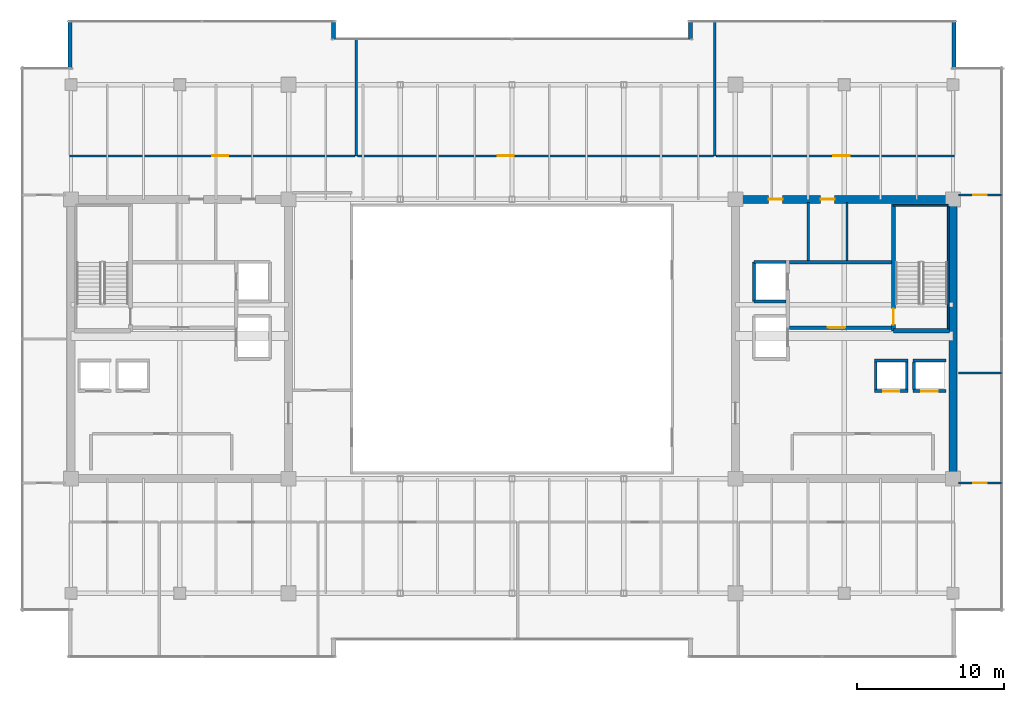
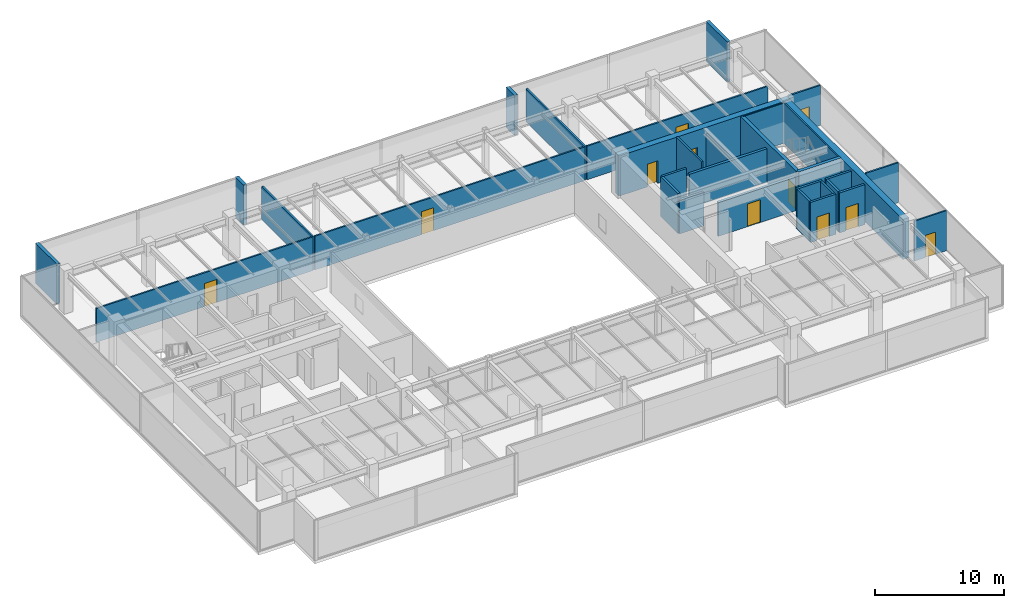
# One storey, part 30 of 36: 32 walls, 11 doors, 11 openings.
"""IFC4 building model written with IfcOpenShell, lengths in metres."""

from ifc_helpers import new_model, si_unit, direction, frame, frame_2d, origin, place, context, subcontext, project, spatial, rectangle, extrude, source, transform, mapped, material, layer, layer_set, type_object, type_shapes, element, fill, save


model = new_model("IFC4")

# Units and contexts
model_context = context("Model", 3, precision=1e-05, world=origin(), true_north=direction((0.0, 1.0)))
body_context = subcontext(model_context, "Body", "Model", "MODEL_VIEW")
ifc_project = project(units=[si_unit("LENGTHUNIT", "METRE"), si_unit("AREAUNIT", "SQUARE_METRE"), si_unit("VOLUMEUNIT", "CUBIC_METRE"), si_unit("PLANEANGLEUNIT", "RADIAN"), si_unit("MASSUNIT", "GRAM", prefix="KILO")], contexts=[model_context])

# Site, building, storey
site_placement = place(None, origin())
site = spatial("IfcSite", under=ifc_project, at=site_placement, CompositionType="ELEMENT")
building_placement = place(site_placement, origin())
building = spatial("IfcBuilding", under=site, at=building_placement, Name="Haelvirn Gate Laboratories", CompositionType="ELEMENT")
storey_placement = place(building_placement, frame((0.0, 0.0, 262.89990234375)))
storey = spatial("IfcBuildingStorey", under=building, at=storey_placement, Name="L63", CompositionType="ELEMENT", Elevation=262.89990234375)

# Walls
ifc_material_1 = material(Name="Thermally-broken bronze aluminium rainscreen & mineral wool", Category="aluminium")
ifc_layer_1 = layer(ifc_material_1, 0.280029296875, Name="EW-TERR-280")
ifc_layer_set_1 = layer_set([ifc_layer_1], Name="Thermally-broken bronze aluminium rainscreen & mineral wool")
wall_type_1 = type_object("IfcWallType", Name="EW-TERR-280", PredefinedType="STANDARD", material=ifc_layer_set_1)
wall_1_placement = place(storey_placement, frame((67.4599609375, 42.7119140625, 0.0), z_axis=(0.0, 0.0, 1.0), x_axis=(0.0, 1.0, 0.0)))
element("IfcWall", 1, at=wall_1_placement, inside=storey, type_object=wall_type_1, Name="L63 Atrium Recess Bronze Return Wall 09", PredefinedType="STANDARD", context=body_context, shape_type="SweptSolid", body=[
    extrude(rectangle(XDim=3.2880859375, YDim=0.280029296875, at=frame_2d((1.64404296875, 0.0))), origin(), (0.0, 0.0, 1.0), 3.800048828125),
])
for number, where, z_axis, x_axis, name in (
    (2, (49.5400390625, 46.0, 0.0), (0.0, 0.0, 1.0), (0.0, -1.0, 0.0), "L63 Atrium Recess Bronze Return Wall 11"),
    (3, (25.260009765625, 44.70703125, 0.0), (0.0, 0.0, 1.0), (0.0, 1.0, 0.0), "L63 Atrium Recess Bronze Return Wall 13"),
):
    element("IfcWall", number, at=place(storey_placement, frame(where, z_axis=z_axis, x_axis=x_axis)), inside=storey, type_object=wall_type_1, Name=name, PredefinedType="STANDARD", context=body_context, shape_type="SweptSolid", body=[
        extrude(rectangle(XDim=1.29296875, YDim=0.280029296875, at=frame_2d((0.646484375, 0.0))), origin(), (0.0, 0.0, 1.0), 3.800048828125),
    ])
wall_2_placement = place(storey_placement, frame((7.340087890625, 46.0, 0.0), z_axis=(0.0, 0.0, 1.0), x_axis=(0.0, -1.0, 0.0)))
element("IfcWall", 4, at=wall_2_placement, inside=storey, type_object=wall_type_1, Name="L63 Atrium Recess Bronze Return Wall 15", PredefinedType="STANDARD", context=body_context, shape_type="SweptSolid", body=[
    extrude(rectangle(XDim=3.2880859375, YDim=0.280029296875, at=frame_2d((1.64404296875, 0.0))), origin(), (0.0, 0.0, 1.0), 3.800048828125),
])
ifc_material_2 = material(Name="Double-layer acoustic gypsum laboratory partition", Category="gypsum")
ifc_layer_2 = layer(ifc_material_2, 0.159912109375, Name="IW-ACOUST-160")
ifc_layer_set_2 = layer_set([ifc_layer_2], Name="Double-layer acoustic gypsum laboratory partition")
wall_type_2 = type_object("IfcWallType", Name="IW-ACOUST-160", PredefinedType="PARTITIONING", material=ifc_layer_set_2)
wall_3_placement = place(storey_placement, frame((26.800048828125, 36.760009765625, 0.0), z_axis=(0.0, 0.0, 1.0), x_axis=(0.0, 1.0, 0.0)))
element("IfcWall", 5, at=wall_3_placement, inside=storey, type_object=wall_type_2, Name="L63 Interior Wall IW-L63-NDIV-01", PredefinedType="PARTITIONING", context=body_context, shape_type="SweptSolid", body=[
    extrude(rectangle(XDim=7.929931640625, YDim=0.159912109375, at=frame_2d((3.96484375, 0.0))), origin(), (0.0, 0.0, 1.0), 3.135009765625),
])
wall_4_placement = place(storey_placement, frame((51.199951171875, 36.760009765625, 0.0), z_axis=(0.0, 0.0, 1.0), x_axis=(0.0, 1.0, 0.0)))
element("IfcWall", 6, at=wall_4_placement, inside=storey, type_object=wall_type_2, Name="L63 Interior Wall IW-L63-NDIV-02", PredefinedType="PARTITIONING", context=body_context, shape_type="SweptSolid", body=[
    extrude(rectangle(XDim=9.1298828125, YDim=0.159912109375, at=frame_2d((4.56494140625, 0.0))), origin(), (0.0, 0.0, 1.0), 3.135009765625),
])

# Wall, opening, door
ifc_material_3 = material(Name="Acoustic mineral-wool gypsum board partition", Category="gypsum")
ifc_layer_3 = layer(ifc_material_3, 0.139892578125, Name="IW-PART-140")
ifc_layer_set_3 = layer_set([ifc_layer_3], Name="Acoustic mineral-wool gypsum board partition")
wall_type_3 = type_object("IfcWallType", Name="IW-PART-140", PredefinedType="PARTITIONING", material=ifc_layer_set_3)
wall_5_placement = place(storey_placement, frame((7.31005859375, 36.760009765625, 0.0), z_axis=(0.0, 0.0, 1.0), x_axis=(1.0, 0.0, 0.0)))
wall_5 = element("IfcWall", 7, at=wall_5_placement, inside=storey, type_object=wall_type_3, Name="L63 Interior Wall IW-L63-NCORR-01", PredefinedType="PARTITIONING", context=body_context, shape_type="SweptSolid", body=[
    extrude(rectangle(XDim=19.409912109375, YDim=0.139892578125, at=frame_2d((9.705078125, 0.0))), origin(), (0.0, 0.0, 1.0), 3.197021484375),
])
opening_1_placement = place(wall_5_placement, frame((9.683349609375, 0.0, 0.0)))
opening_1 = element("IfcOpeningElement", 8, at=opening_1_placement, cuts=wall_5, Name="Opening D1", PredefinedType="OPENING", context=body_context, shape_type="SweptSolid", body=[
    extrude(rectangle(XDim=1.10009765625, YDim=2.179931640625, at=frame_2d((0.550048828125, 1.08984375))), frame((0.0, 0.080078125, 0.0), z_axis=(0.0, -1.0, 0.0), x_axis=(1.0, 0.0, 0.0)), (0.0, 0.0, 1.0), 0.159912109375),
])
ifc_material_4 = material(Name="Vision-panel acoustic solid-core timber lab door", Category="wood")
door_type_1 = type_object("IfcDoorType", Name="DR-LAB-1100", OperationType="NOTDEFINED", PredefinedType="DOOR", material=ifc_material_4)
shared_shape_1 = source(origin(), body_context, "Body", "SweptSolid", [
    extrude(rectangle(XDim=1.10009765625, YDim=2.179931640625, at=frame_2d((0.550048828125, 1.08984375))), frame((0.0, 0.02490234375, 0.0), z_axis=(0.0, -1.0, 0.0), x_axis=(1.0, 0.0, 0.0)), (0.0, 0.0, 1.0), 0.050048828125),
])
type_shapes(door_type_1, [shared_shape_1])
door_1_placement = place(opening_1_placement, origin())
door_1 = element("IfcDoor", 9, at=door_1_placement, inside=storey, type_object=door_type_1, Name="L63 Researcher Break Pantry Door N1", OperationType="SINGLE_SWING_LEFT", OverallHeight=2.179931640625, OverallWidth=1.10009765625, PredefinedType="DOOR", context=body_context, shape_type="MappedRepresentation", body=[
    mapped(shared_shape_1, transform((0.0, 0.0, 0.0), scale=1.0)),
])
fill(opening_1, door_1)

wall_6_placement = place(storey_placement, frame((26.8798828125, 36.760009765625, 0.0), z_axis=(0.0, 0.0, 1.0), x_axis=(1.0, 0.0, 0.0)))
wall_6 = element("IfcWall", 10, at=wall_6_placement, inside=storey, type_object=wall_type_3, Name="L63 Interior Wall IW-L63-NCORR-02", PredefinedType="PARTITIONING", context=body_context, shape_type="SweptSolid", body=[
    extrude(rectangle(XDim=24.240234375, YDim=0.139892578125, at=frame_2d((12.1201171875, 0.0))), origin(), (0.0, 0.0, 1.0), 3.197021484375),
])
opening_2_placement = place(wall_6_placement, frame((9.55029296875, 0.0, 0.0)))
opening_2 = element("IfcOpeningElement", 11, at=opening_2_placement, cuts=wall_6, Name="Opening D1", PredefinedType="OPENING", context=body_context, shape_type="SweptSolid", body=[
    extrude(rectangle(XDim=1.10009765625, YDim=2.179931640625, at=frame_2d((0.550048828125, 1.08984375))), frame((0.0, 0.080078125, 0.0), z_axis=(0.0, -1.0, 0.0), x_axis=(1.0, 0.0, 0.0)), (0.0, 0.0, 1.0), 0.159912109375),
])
door_2_placement = place(opening_2_placement, origin())
door_2 = element("IfcDoor", 12, at=door_2_placement, inside=storey, type_object=door_type_1, Name="L63 Laser-Safety Consult Room Door N2", OperationType="SINGLE_SWING_RIGHT", OverallHeight=2.179931640625, OverallWidth=1.10009765625, PredefinedType="DOOR", context=body_context, shape_type="MappedRepresentation", body=[
    mapped(shared_shape_1, transform((0.0, 0.0, 0.0), scale=1.0)),
])
fill(opening_2, door_2)

wall_7_placement = place(storey_placement, frame((51.280029296875, 36.760009765625, 0.0), z_axis=(0.0, 0.0, 1.0), x_axis=(1.0, 0.0, 0.0)))
wall_7 = element("IfcWall", 13, at=wall_7_placement, inside=storey, type_object=wall_type_3, Name="L63 Interior Wall IW-L63-NCORR-03", PredefinedType="PARTITIONING", context=body_context, shape_type="SweptSolid", body=[
    extrude(rectangle(XDim=16.2099609375, YDim=0.139892578125, at=frame_2d((8.10498046875, 0.0))), origin(), (0.0, 0.0, 1.0), 3.197021484375),
])
opening_3_placement = place(wall_7_placement, frame((7.9873046875, 0.0, 0.0)))
opening_3 = element("IfcOpeningElement", 14, at=opening_3_placement, cuts=wall_7, Name="Opening D1", PredefinedType="OPENING", context=body_context, shape_type="SweptSolid", body=[
    extrude(rectangle(XDim=1.10009765625, YDim=2.179931640625, at=frame_2d((0.550048828125, 1.08984375))), frame((0.0, 0.080078125, 0.0), z_axis=(0.0, -1.0, 0.0), x_axis=(1.0, 0.0, 0.0)), (0.0, 0.0, 1.0), 0.159912109375),
])
door_3_placement = place(opening_3_placement, origin())
door_3 = element("IfcDoor", 15, at=door_3_placement, inside=storey, type_object=door_type_1, Name="L63 Occupational Biosafety Clinic Door N3", OperationType="SINGLE_SWING_LEFT", OverallHeight=2.179931640625, OverallWidth=1.10009765625, PredefinedType="DOOR", context=body_context, shape_type="MappedRepresentation", body=[
    mapped(shared_shape_1, transform((0.0, 0.0, 0.0), scale=1.0)),
])
fill(opening_3, door_3)

# Wall
wall_8_placement = place(storey_placement, frame((67.780029296875, 22.0, 0.0), z_axis=(0.0, 0.0, 1.0), x_axis=(1.0, 0.0, 0.0)))
element("IfcWall", 16, at=wall_8_placement, inside=storey, type_object=wall_type_3, Name="L63 Interior Wall IW-L63-EZ3-MID", PredefinedType="PARTITIONING", context=body_context, shape_type="SweptSolid", body=[
    extrude(rectangle(XDim=2.909912109375, YDim=0.139892578125, at=frame_2d((1.455078125, 0.0))), origin(), (0.0, 0.0, 1.0), 3.800048828125),
])

# Wall, opening, door
wall_9_placement = place(storey_placement, frame((67.780029296875, 14.5048828125, 0.0), z_axis=(0.0, 0.0, 1.0), x_axis=(1.0, 0.0, 0.0)))
wall_9 = element("IfcWall", 17, at=wall_9_placement, inside=storey, type_object=wall_type_3, Name="L63 Interior Wall IW-L63-EZ3-ENT-S", PredefinedType="PARTITIONING", context=body_context, shape_type="SweptSolid", body=[
    extrude(rectangle(XDim=2.909912109375, YDim=0.139892578125, at=frame_2d((1.455078125, 0.0))), origin(), (0.0, 0.0, 1.0), 3.800048828125),
])
opening_4_placement = place(wall_9_placement, frame((1.0048828125, 0.0, 0.0)))
opening_4 = element("IfcOpeningElement", 18, at=opening_4_placement, cuts=wall_9, Name="Opening D4", PredefinedType="OPENING", context=body_context, shape_type="SweptSolid", body=[
    extrude(rectangle(XDim=0.89990234375, YDim=2.10009765625, at=frame_2d((0.449951171875, 1.050048828125))), frame((0.0, 0.080078125, 0.0), z_axis=(0.0, -1.0, 0.0), x_axis=(1.0, 0.0, 0.0)), (0.0, 0.0, 1.0), 0.159912109375),
])
ifc_material_5 = material(Name="Glazed aluminium-framed write-up door", Category="aluminium")
door_type_2 = type_object("IfcDoorType", Name="DR-OFF-900", OperationType="NOTDEFINED", PredefinedType="DOOR", material=ifc_material_5)
shared_shape_2 = source(origin(), body_context, "Body", "SweptSolid", [
    extrude(rectangle(XDim=0.89990234375, YDim=2.10009765625, at=frame_2d((0.449951171875, 1.050048828125))), frame((0.0, 0.02490234375, 0.0), z_axis=(0.0, -1.0, 0.0), x_axis=(1.0, 0.0, 0.0)), (0.0, 0.0, 1.0), 0.050048828125),
])
type_shapes(door_type_2, [shared_shape_2])
door_4_placement = place(opening_4_placement, origin())
door_4 = element("IfcDoor", 19, at=door_4_placement, inside=storey, type_object=door_type_2, Name="L63 Chemical Synthesis Laboratory Door E-S", OperationType="SINGLE_SWING_LEFT", OverallHeight=2.10009765625, OverallWidth=0.89990234375, PredefinedType="DOOR", context=body_context, shape_type="MappedRepresentation", body=[
    mapped(shared_shape_2, transform((0.0, 0.0, 0.0), scale=1.0)),
])
fill(opening_4, door_4)

wall_10_placement = place(storey_placement, frame((67.780029296875, 34.094970703125, 0.0), z_axis=(0.0, 0.0, 1.0), x_axis=(1.0, 0.0, 0.0)))
wall_10 = element("IfcWall", 20, at=wall_10_placement, inside=storey, type_object=wall_type_3, Name="L63 Interior Wall IW-L63-EZ3-ENT-N", PredefinedType="PARTITIONING", context=body_context, shape_type="SweptSolid", body=[
    extrude(rectangle(XDim=2.909912109375, YDim=0.139892578125, at=frame_2d((1.455078125, 0.0))), origin(), (0.0, 0.0, 1.0), 3.800048828125),
])
opening_5_placement = place(wall_10_placement, frame((1.0048828125, 0.0, 0.0)))
opening_5 = element("IfcOpeningElement", 21, at=opening_5_placement, cuts=wall_10, Name="Opening D4", PredefinedType="OPENING", context=body_context, shape_type="SweptSolid", body=[
    extrude(rectangle(XDim=0.89990234375, YDim=2.10009765625, at=frame_2d((0.449951171875, 1.050048828125))), frame((0.0, 0.080078125, 0.0), z_axis=(0.0, -1.0, 0.0), x_axis=(1.0, 0.0, 0.0)), (0.0, 0.0, 1.0), 0.159912109375),
])
door_5_placement = place(opening_5_placement, origin())
door_5 = element("IfcDoor", 22, at=door_5_placement, inside=storey, type_object=door_type_2, Name="L63 Genomics Assay Laboratory Door E-N", OperationType="SINGLE_SWING_RIGHT", OverallHeight=2.10009765625, OverallWidth=0.89990234375, PredefinedType="DOOR", context=body_context, shape_type="MappedRepresentation", body=[
    mapped(shared_shape_2, transform((0.0, 0.0, 0.0), scale=1.0)),
])
fill(opening_5, door_5)

# Walls
ifc_material_6 = material(Name="Cement-board restroom plumbing chase wall", Category="gypsum")
ifc_layer_4 = layer(ifc_material_6, 0.155029296875, Name="IW-PLUMB-160")
ifc_layer_set_4 = layer_set([ifc_layer_4], Name="Cement-board restroom plumbing chase wall")
wall_type_4 = type_object("IfcWallType", Name="IW-PLUMB-160", PredefinedType="PLUMBINGWALL", material=ifc_layer_set_4)
wall_11_placement = place(storey_placement, frame((60.18994140625, 29.64990234375, 0.0), z_axis=(0.0, 0.0, 1.0), x_axis=(0.0, 1.0, 0.0)))
element("IfcWall", 23, at=wall_11_placement, inside=storey, type_object=wall_type_4, Name="L63 Interior Wall IW-L63-E-CDIV-0", PredefinedType="PLUMBINGWALL", context=body_context, shape_type="SweptSolid", body=[
    extrude(rectangle(XDim=3.93017578125, YDim=0.155029296875, at=frame_2d((1.965087890625, 0.0))), origin(), (0.0, 0.0, 1.0), 3.197021484375),
])
wall_12_placement = place(storey_placement, frame((57.56005859375, 29.64990234375, 0.0), z_axis=(0.0, 0.0, 1.0), x_axis=(0.0, 1.0, 0.0)))
element("IfcWall", 24, at=wall_12_placement, inside=storey, type_object=wall_type_4, Name="L63 Interior Wall IW-L63-E-CDIV-1", PredefinedType="PLUMBINGWALL", context=body_context, shape_type="SweptSolid", body=[
    extrude(rectangle(XDim=3.93017578125, YDim=0.155029296875, at=frame_2d((1.965087890625, 0.0))), origin(), (0.0, 0.0, 1.0), 3.800048828125),
])
ifc_material_7 = material(Name="Concrete C40/50", Category="concrete")
ifc_layer_5 = layer(ifc_material_7, 0.179931640625, Name="IW-SHAFT-180")
ifc_layer_set_5 = layer_set([ifc_layer_5], Name="Concrete C40/50")
wall_type_5 = type_object("IfcWallType", Name="IW-SHAFT-180", PredefinedType="SOLIDWALL", material=ifc_layer_set_5)
for number, where, z_axis, x_axis, name in (
    (25, (64.75, 20.85009765625, 0.0), (0.0, 0.0, 1.0), (0.0, 1.0, 0.0), "L63 Interior Wall IW-L63-PL11-SD"),
    (26, (62.14990234375, 20.85009765625, 0.0), (0.0, 0.0, 1.0), (0.0, 1.0, 0.0), "L63 Interior Wall IW-L63-PL12-SD"),
    (27, (64.25, 20.85009765625, 0.0), (0.0, 0.0, 1.0), (0.0, 1.0, 0.0), "L63 Interior Wall IW-L63-PL12-SDE"),
):
    element("IfcWall", number, at=place(storey_placement, frame(where, z_axis=z_axis, x_axis=x_axis)), inside=storey, type_object=wall_type_5, Name=name, PredefinedType="SOLIDWALL", context=body_context, shape_type="SweptSolid", body=[
        extrude(rectangle(XDim=1.89990234375, YDim=0.179931640625, at=frame_2d((0.949951171875, 0.0))), origin(), (0.0, 0.0, 1.0), 3.800048828125),
    ])

# Wall, opening, door
ifc_layer_6 = layer(ifc_material_7, 0.199951171875, Name="IW-SHAFT-200")
ifc_layer_set_6 = layer_set([ifc_layer_6], Name="Concrete C40/50")
wall_type_6 = type_object("IfcWallType", Name="IW-SHAFT-200", PredefinedType="SOLIDWALL", material=ifc_layer_set_6)
wall_13_placement = place(storey_placement, frame((64.669921875, 20.75, 0.0), z_axis=(0.0, 0.0, 1.0), x_axis=(1.0, 0.0, 0.0)))
wall_13 = element("IfcWall", 28, at=wall_13_placement, inside=storey, type_object=wall_type_6, Name="L63 Interior Wall IW-L63-PL11-FR", PredefinedType="SOLIDWALL", context=body_context, shape_type="SweptSolid", body=[
    extrude(rectangle(XDim=2.260009765625, YDim=0.199951171875, at=frame_2d((1.1298828125, 0.0))), origin(), (0.0, 0.0, 1.0), 3.800048828125),
])
opening_6_placement = place(wall_13_placement, frame((0.580078125, 0.0, 0.0)))
opening_6 = element("IfcOpeningElement", 29, at=opening_6_placement, cuts=wall_13, Name="Opening LD2", PredefinedType="OPENING", context=body_context, shape_type="SweptSolid", body=[
    extrude(rectangle(XDim=1.10009765625, YDim=2.219970703125, at=frame_2d((0.550048828125, 1.10986328125))), frame((0.0, 0.10986328125, 0.0), z_axis=(0.0, -1.0, 0.0), x_axis=(1.0, 0.0, 0.0)), (0.0, 0.0, 1.0), 0.219970703125),
])
ifc_material_8 = material(Name="Bronze stainless 316L sliding lift landing door")
door_type_3 = type_object("IfcDoorType", Name="DR-LD-1100", OperationType="NOTDEFINED", PredefinedType="USERDEFINED", material=ifc_material_8)
shared_shape_3 = source(origin(), body_context, "Body", "SweptSolid", [
    extrude(rectangle(XDim=1.10009765625, YDim=2.219970703125, at=frame_2d((0.550048828125, 1.10986328125))), frame((0.0, 0.02490234375, 0.0), z_axis=(0.0, -1.0, 0.0), x_axis=(1.0, 0.0, 0.0)), (0.0, 0.0, 1.0), 0.050048828125),
])
type_shapes(door_type_3, [shared_shape_3])
door_6_placement = place(opening_6_placement, origin())
door_6 = element("IfcDoor", 30, at=door_6_placement, inside=storey, type_object=door_type_3, Name="L63 Passenger Lift PL11 Landing Door", ObjectType="LANDING_DOOR", OperationType="SLIDING_TO_LEFT", OverallHeight=2.219970703125, OverallWidth=1.10009765625, PredefinedType="USERDEFINED", context=body_context, shape_type="MappedRepresentation", body=[
    mapped(shared_shape_3, transform((0.0, 0.0, 0.0), scale=1.0)),
])
fill(opening_6, door_6)

# Wall
wall_14_placement = place(storey_placement, frame((64.669921875, 22.85009765625, 0.0), z_axis=(0.0, 0.0, 1.0), x_axis=(1.0, 0.0, 0.0)))
element("IfcWall", 31, at=wall_14_placement, inside=storey, type_object=wall_type_6, Name="L63 Interior Wall IW-L63-PL11-BK", PredefinedType="SOLIDWALL", context=body_context, shape_type="SweptSolid", body=[
    extrude(rectangle(XDim=2.260009765625, YDim=0.199951171875, at=frame_2d((1.1298828125, 0.0))), origin(), (0.0, 0.0, 1.0), 3.800048828125),
])

# Wall, opening, door
wall_15_placement = place(storey_placement, frame((62.070068359375, 20.75, 0.0), z_axis=(0.0, 0.0, 1.0), x_axis=(1.0, 0.0, 0.0)))
wall_15 = element("IfcWall", 32, at=wall_15_placement, inside=storey, type_object=wall_type_6, Name="L63 Interior Wall IW-L63-PL12-FR", PredefinedType="SOLIDWALL", context=body_context, shape_type="SweptSolid", body=[
    extrude(rectangle(XDim=2.260009765625, YDim=0.199951171875, at=frame_2d((1.1298828125, 0.0))), origin(), (0.0, 0.0, 1.0), 3.800048828125),
])
opening_7_placement = place(wall_15_placement, frame((0.580078125, 0.0, 0.0)))
opening_7 = element("IfcOpeningElement", 33, at=opening_7_placement, cuts=wall_15, Name="Opening LD2", PredefinedType="OPENING", context=body_context, shape_type="SweptSolid", body=[
    extrude(rectangle(XDim=1.10009765625, YDim=2.219970703125, at=frame_2d((0.550048828125, 1.10986328125))), frame((0.0, 0.10986328125, 0.0), z_axis=(0.0, -1.0, 0.0), x_axis=(1.0, 0.0, 0.0)), (0.0, 0.0, 1.0), 0.219970703125),
])
door_7_placement = place(opening_7_placement, origin())
door_7 = element("IfcDoor", 34, at=door_7_placement, inside=storey, type_object=door_type_3, Name="L63 Passenger Lift PL12 Landing Door", ObjectType="LANDING_DOOR", OperationType="SLIDING_TO_RIGHT", OverallHeight=2.219970703125, OverallWidth=1.10009765625, PredefinedType="USERDEFINED", context=body_context, shape_type="MappedRepresentation", body=[
    mapped(shared_shape_3, transform((0.0, 0.0, 0.0), scale=1.0)),
])
fill(opening_7, door_7)

# Walls
wall_16_placement = place(storey_placement, frame((62.070068359375, 22.85009765625, 0.0), z_axis=(0.0, 0.0, 1.0), x_axis=(1.0, 0.0, 0.0)))
element("IfcWall", 35, at=wall_16_placement, inside=storey, type_object=wall_type_6, Name="L63 Interior Wall IW-L63-PL12-BK", PredefinedType="SOLIDWALL", context=body_context, shape_type="SweptSolid", body=[
    extrude(rectangle(XDim=2.260009765625, YDim=0.199951171875, at=frame_2d((1.1298828125, 0.0))), origin(), (0.0, 0.0, 1.0), 3.800048828125),
])
wall_17_placement = place(storey_placement, frame((53.85009765625, 26.85009765625, 0.0), z_axis=(0.0, 0.0, 1.0), x_axis=(0.0, 1.0, 0.0)))
element("IfcWall", 36, at=wall_17_placement, inside=storey, type_object=wall_type_6, Name="L63 Interior Wall IW-L63-FL2-BK", PredefinedType="SOLIDWALL", context=body_context, shape_type="SweptSolid", body=[
    extrude(rectangle(XDim=2.699951171875, YDim=0.199951171875, at=frame_2d((1.35009765625, 0.0))), origin(), (0.0, 0.0, 1.0), 3.800048828125),
])
wall_18_placement = place(storey_placement, frame((53.85009765625, 29.550048828125, 0.0), z_axis=(0.0, 0.0, 1.0), x_axis=(1.0, 0.0, 0.0)))
element("IfcWall", 37, at=wall_18_placement, inside=storey, type_object=wall_type_6, Name="L63 Interior Wall IW-L63-FL2-N", PredefinedType="SOLIDWALL", context=body_context, shape_type="SweptSolid", body=[
    extrude(rectangle(XDim=2.18994140625, YDim=0.199951171875, at=frame_2d((1.094970703125, 0.0))), origin(), (0.0, 0.0, 1.0), 3.800048828125),
])
wall_19_placement = place(storey_placement, frame((53.85009765625, 26.85009765625, 0.0), z_axis=(0.0, 0.0, 1.0), x_axis=(1.0, 0.0, 0.0)))
element("IfcWall", 38, at=wall_19_placement, inside=storey, type_object=wall_type_6, Name="L63 Interior Wall IW-L63-FL2-S", PredefinedType="SOLIDWALL", context=body_context, shape_type="SweptSolid", body=[
    extrude(rectangle(XDim=2.18994140625, YDim=0.199951171875, at=frame_2d((1.094970703125, 0.0))), origin(), (0.0, 0.0, 1.0), 3.197021484375),
])

# Wall, opening, door
ifc_layer_7 = layer(ifc_material_7, 0.239990234375, Name="IW-SHAFT-240")
ifc_layer_set_7 = layer_set([ifc_layer_7], Name="Concrete C40/50")
wall_type_7 = type_object("IfcWallType", Name="IW-SHAFT-240", PredefinedType="SOLIDWALL", material=ifc_layer_set_7)
wall_20_placement = place(storey_placement, frame((56.280029296875, 25.080078125, 0.0), z_axis=(0.0, 0.0, 1.0), x_axis=(1.0, 0.0, 0.0)))
wall_20 = element("IfcWall", 39, at=wall_20_placement, inside=storey, type_object=wall_type_7, Name="L63 Interior Wall IW-L63-E-FF-S", PredefinedType="SOLIDWALL", context=body_context, shape_type="SweptSolid", body=[
    extrude(rectangle(XDim=6.919921875, YDim=0.239990234375, at=frame_2d((3.4599609375, 0.0))), origin(), (0.0, 0.0, 1.0), 3.197021484375),
])
opening_8_placement = place(wall_20_placement, frame((2.60009765625, 0.0, 0.0)))
opening_8 = element("IfcOpeningElement", 40, at=opening_8_placement, cuts=wall_20, Name="Opening FD2", PredefinedType="OPENING", context=body_context, shape_type="SweptSolid", body=[
    extrude(rectangle(XDim=1.199951171875, YDim=2.159912109375, at=frame_2d((0.60009765625, 1.080078125))), frame((0.0, 0.1298828125, 0.0), z_axis=(0.0, -1.0, 0.0), x_axis=(1.0, 0.0, 0.0)), (0.0, 0.0, 1.0), 0.260009765625),
])
ifc_material_9 = material(Name="Fire-rated steel SM355 compartment door", Category="steel")
door_type_4 = type_object("IfcDoorType", Name="DR-FD-1200", OperationType="NOTDEFINED", PredefinedType="DOOR", material=ifc_material_9)
shared_shape_4 = source(origin(), body_context, "Body", "SweptSolid", [
    extrude(rectangle(XDim=1.199951171875, YDim=2.159912109375, at=frame_2d((0.60009765625, 1.080078125))), frame((0.0, 0.02490234375, 0.0), z_axis=(0.0, -1.0, 0.0), x_axis=(1.0, 0.0, 0.0)), (0.0, 0.0, 1.0), 0.050048828125),
])
type_shapes(door_type_4, [shared_shape_4])
door_8_placement = place(opening_8_placement, origin())
door_8 = element("IfcDoor", 41, at=door_8_placement, inside=storey, type_object=door_type_4, Name="L63 East Firefighting Lobby Door", OperationType="SINGLE_SWING_LEFT", OverallHeight=2.159912109375, OverallWidth=1.199951171875, PredefinedType="DOOR", context=body_context, shape_type="MappedRepresentation", body=[
    mapped(shared_shape_4, transform((0.0, 0.0, 0.0), scale=1.0)),
])
fill(opening_8, door_8)

# Wall
wall_21_placement = place(storey_placement, frame((56.280029296875, 29.52001953125, 0.0), z_axis=(0.0, 0.0, 1.0), x_axis=(1.0, 0.0, 0.0)))
element("IfcWall", 42, at=wall_21_placement, inside=storey, type_object=wall_type_7, Name="L63 Interior Wall IW-L63-E-FF-N", PredefinedType="SOLIDWALL", context=body_context, shape_type="SweptSolid", body=[
    extrude(rectangle(XDim=6.919921875, YDim=0.239990234375, at=frame_2d((3.4599609375, 0.0))), origin(), (0.0, 0.0, 1.0), 3.197021484375),
])

# Wall, openings, doors
ifc_material_10 = material(Name="Concrete C50/60", Category="concrete")
ifc_layer_8 = layer(ifc_material_10, 0.550048828125, Name="SW-CORE-550")
ifc_layer_set_8 = layer_set([ifc_layer_8], Name="Concrete C50/60")
wall_type_8 = type_object("IfcWallType", Name="SW-CORE-550", PredefinedType="SHEAR", material=ifc_layer_set_8)
wall_22_placement = place(storey_placement, frame((52.324951171875, 33.800048828125, 0.0), z_axis=(0.0, 0.0, 1.0), x_axis=(1.0, 0.0, 0.0)))
wall_22 = element("IfcWall", 43, at=wall_22_placement, inside=storey, type_object=wall_type_8, Name="L63 E Core Shear Wall N", PredefinedType="SHEAR", context=body_context, shape_type="SweptSolid", body=[
    extrude(rectangle(XDim=15.35009765625, YDim=0.550048828125, at=frame_2d((7.675048828125, 0.0))), origin(), (0.0, 0.0, 1.0), 3.800048828125),
])
opening_9_placement = place(wall_22_placement, frame((6.074951171875, 0.0, 0.0)))
opening_9 = element("IfcOpeningElement", 44, at=opening_9_placement, cuts=wall_22, Name="Opening FD4", PredefinedType="OPENING", context=body_context, shape_type="SweptSolid", body=[
    extrude(rectangle(XDim=0.949951171875, YDim=2.14990234375, at=frame_2d((0.47509765625, 1.074951171875))), frame((0.0, 0.28515625, 0.0), z_axis=(0.0, -1.0, 0.0), x_axis=(1.0, 0.0, 0.0)), (0.0, 0.0, 1.0), 0.570068359375),
])
opening_10_placement = place(wall_22_placement, frame((2.534912109375, 0.0, 0.0)))
opening_10 = element("IfcOpeningElement", 45, at=opening_10_placement, cuts=wall_22, Name="Opening FD4", PredefinedType="OPENING", context=body_context, shape_type="SweptSolid", body=[
    extrude(rectangle(XDim=0.949951171875, YDim=2.14990234375, at=frame_2d((0.47509765625, 1.074951171875))), frame((0.0, 0.28515625, 0.0), z_axis=(0.0, -1.0, 0.0), x_axis=(1.0, 0.0, 0.0)), (0.0, 0.0, 1.0), 0.570068359375),
])
ifc_material_11 = material(Name="Fire-rated steel SM355 core service door", Category="steel")
door_type_5 = type_object("IfcDoorType", Name="DR-FD-950", OperationType="NOTDEFINED", PredefinedType="DOOR", material=ifc_material_11)
shared_shape_5 = source(origin(), body_context, "Body", "SweptSolid", [
    extrude(rectangle(XDim=0.949951171875, YDim=2.14990234375, at=frame_2d((0.47509765625, 1.074951171875))), frame((0.0, 0.02490234375, 0.0), z_axis=(0.0, -1.0, 0.0), x_axis=(1.0, 0.0, 0.0)), (0.0, 0.0, 1.0), 0.050048828125),
])
type_shapes(door_type_5, [shared_shape_5])
door_9_placement = place(opening_9_placement, origin())
door_9 = element("IfcDoor", 46, at=door_9_placement, inside=storey, type_object=door_type_5, Name="L63 Accessible Restroom Fire Door", OperationType="SINGLE_SWING_RIGHT", OverallHeight=2.14990234375, OverallWidth=0.949951171875, PredefinedType="DOOR", context=body_context, shape_type="MappedRepresentation", body=[
    mapped(shared_shape_5, transform((0.0, 0.0, 0.0), scale=1.0)),
])
fill(opening_9, door_9)
door_10_placement = place(opening_10_placement, origin())
door_10 = element("IfcDoor", 47, at=door_10_placement, inside=storey, type_object=door_type_5, Name="L63 Staff Restroom Fire Door", OperationType="SINGLE_SWING_LEFT", OverallHeight=2.14990234375, OverallWidth=0.949951171875, PredefinedType="DOOR", context=body_context, shape_type="MappedRepresentation", body=[
    mapped(shared_shape_5, transform((0.0, 0.0, 0.0), scale=1.0)),
])
fill(opening_10, door_10)

# Walls
wall_23_placement = place(storey_placement, frame((67.39990234375, 15.074951171875, 0.0), z_axis=(0.0, 0.0, 1.0), x_axis=(0.0, 1.0, 0.0)))
element("IfcWall", 48, at=wall_23_placement, inside=storey, type_object=wall_type_8, Name="L63 E Core Shear Wall E", PredefinedType="SHEAR", context=body_context, shape_type="SweptSolid", body=[
    extrude(rectangle(XDim=18.449951171875, YDim=0.550048828125, at=frame_2d((9.22509765625, 0.0))), origin(), (0.0, 0.0, 1.0), 3.800048828125),
])
ifc_layer_9 = layer(ifc_material_10, 0.1201171875, Name="SW-LINER-120")
ifc_layer_set_9 = layer_set([ifc_layer_9], Name="Concrete C50/60")
wall_type_9 = type_object("IfcWallType", Name="SW-LINER-120", PredefinedType="SOLIDWALL", material=ifc_layer_set_9)
wall_24_placement = place(storey_placement, frame((63.35009765625, 33.39990234375, 0.0), z_axis=(0.0, 0.0, 1.0), x_axis=(1.0, 0.0, 0.0)))
element("IfcWall", 49, at=wall_24_placement, inside=storey, type_object=wall_type_9, Name="L63 E Core Stair Shaft Liner Wall N", PredefinedType="SOLIDWALL", context=body_context, shape_type="SweptSolid", body=[
    extrude(rectangle(XDim=3.719970703125, YDim=0.1201171875, at=frame_2d((1.85986328125, 0.0))), origin(), (0.0, 0.0, 1.0), 3.800048828125),
])
wall_25_placement = place(storey_placement, frame((67.070068359375, 25.0, 0.0), z_axis=(0.0, 0.0, 1.0), x_axis=(0.0, 1.0, 0.0)))
element("IfcWall", 50, at=wall_25_placement, inside=storey, type_object=wall_type_9, Name="L63 E Core Stair Shaft Liner Wall OUT", PredefinedType="SOLIDWALL", context=body_context, shape_type="SweptSolid", body=[
    extrude(rectangle(XDim=8.320068359375, YDim=0.1201171875, at=frame_2d((4.16015625, 0.0))), origin(), (0.0, 0.0, 1.0), 3.800048828125),
])

# Wall, opening, door
ifc_layer_10 = layer(ifc_material_10, 0.300048828125, Name="SW-STAIR-300")
ifc_layer_set_10 = layer_set([ifc_layer_10], Name="Concrete C50/60")
wall_type_10 = type_object("IfcWallType", Name="SW-STAIR-300", PredefinedType="SHEAR", material=ifc_layer_set_10)
wall_26_placement = place(storey_placement, frame((63.35009765625, 24.85009765625, 0.0), z_axis=(0.0, 0.0, 1.0), x_axis=(0.0, 1.0, 0.0)))
wall_26 = element("IfcWall", 51, at=wall_26_placement, inside=storey, type_object=wall_type_10, Name="L63 E Core Stair Shaft Structural Wall IN", PredefinedType="SHEAR", context=body_context, shape_type="SweptSolid", body=[
    extrude(rectangle(XDim=8.6298828125, YDim=0.300048828125, at=frame_2d((4.31494140625, 0.0))), origin(), (0.0, 0.0, 1.0), 3.800048828125),
])
opening_11_placement = place(wall_26_placement, frame((0.419921875, 0.0, 0.0)))
opening_11 = element("IfcOpeningElement", 52, at=opening_11_placement, cuts=wall_26, Name="Opening FD3", PredefinedType="OPENING", context=body_context, shape_type="SweptSolid", body=[
    extrude(rectangle(XDim=1.10009765625, YDim=2.14990234375, at=frame_2d((0.550048828125, 1.074951171875))), frame((0.0, 0.16015625, 0.0), z_axis=(0.0, -1.0, 0.0), x_axis=(1.0, 0.0, 0.0)), (0.0, 0.0, 1.0), 0.320068359375),
])
ifc_material_12 = material(Name="Fire-rated steel SM355 escape stair door", Category="steel")
door_type_6 = type_object("IfcDoorType", Name="DR-FD-1100", OperationType="NOTDEFINED", PredefinedType="DOOR", material=ifc_material_12)
shared_shape_6 = source(origin(), body_context, "Body", "SweptSolid", [
    extrude(rectangle(XDim=1.10009765625, YDim=2.14990234375, at=frame_2d((0.550048828125, 1.074951171875))), frame((0.0, 0.02490234375, 0.0), z_axis=(0.0, -1.0, 0.0), x_axis=(1.0, 0.0, 0.0)), (0.0, 0.0, 1.0), 0.050048828125),
])
type_shapes(door_type_6, [shared_shape_6])
door_11_placement = place(opening_11_placement, origin())
door_11 = element("IfcDoor", 53, at=door_11_placement, inside=storey, type_object=door_type_6, Name="L63 Escape Stair ST2 Fire Door", OperationType="SINGLE_SWING_RIGHT", OverallHeight=2.14990234375, OverallWidth=1.10009765625, PredefinedType="DOOR", context=body_context, shape_type="MappedRepresentation", body=[
    mapped(shared_shape_6, transform((0.0, 0.0, 0.0), scale=1.0)),
])
fill(opening_11, door_11)

# Wall
wall_27_placement = place(storey_placement, frame((63.35009765625, 24.85009765625, 0.0), z_axis=(0.0, 0.0, 1.0), x_axis=(1.0, 0.0, 0.0)))
element("IfcWall", 54, at=wall_27_placement, inside=storey, type_object=wall_type_10, Name="L63 E Core Stair Shaft Structural Wall S", PredefinedType="SHEAR", context=body_context, shape_type="SweptSolid", body=[
    extrude(rectangle(XDim=3.7998046875, YDim=0.300048828125, at=frame_2d((1.89990234375, 0.0))), origin(), (0.0, 0.0, 1.0), 3.800048828125),
])

save(model, "model.ifc")
